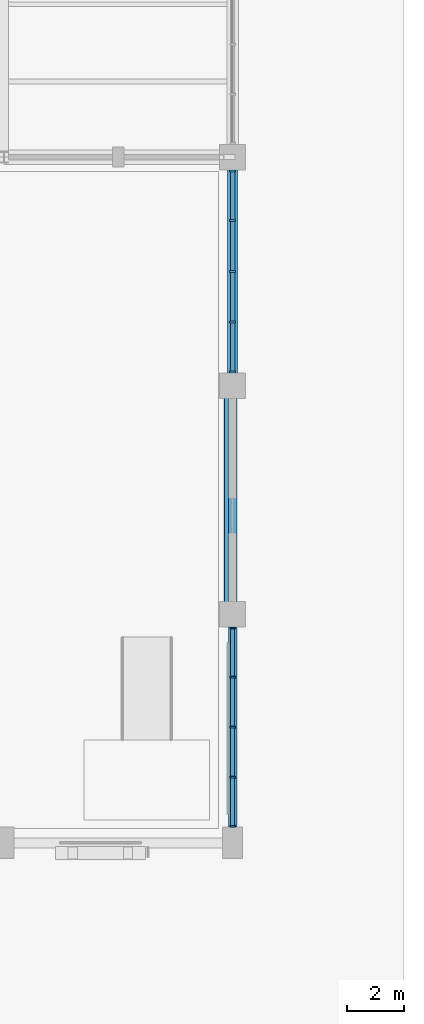
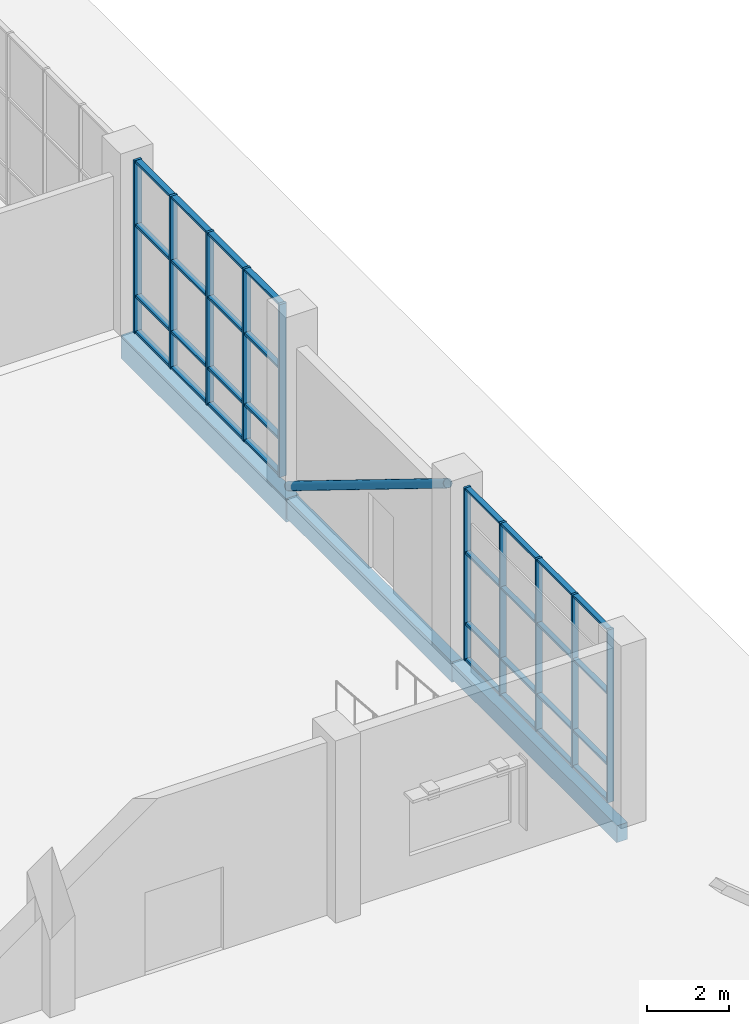
# One storey, part 53 of 123: 43 members, 3 beams, 2 elements without a shape of their own.
"""IFC4 building model written with IfcOpenShell, lengths in metres."""

from ifc_helpers import new_model, si_unit, direction, frame, origin, origin_2d, place, context, subcontext, project, spatial, rectangle, hollow_circle, extrude, material, material_profile, profile_set, type_object, element, aggregate, save


model = new_model("IFC4")

# Units and contexts
model_context = context("Model", 3, precision=1e-05, world=origin(), true_north=direction((0.0, 1.0)))
body_context = subcontext(model_context, "Body", "Model", "MODEL_VIEW")
ifc_project = project(units=[si_unit("LENGTHUNIT", "METRE"), si_unit("AREAUNIT", "SQUARE_METRE"), si_unit("VOLUMEUNIT", "CUBIC_METRE"), si_unit("PLANEANGLEUNIT", "RADIAN"), si_unit("MASSUNIT", "GRAM", prefix="KILO")], contexts=[model_context])

# Site, building, storey
site_placement = place(None, origin())
site = spatial("IfcSite", under=ifc_project, at=site_placement, CompositionType="ELEMENT")
building_placement = place(site_placement, origin())
building = spatial("IfcBuilding", under=site, at=building_placement, Name="Tenunan Teduh Sports Hall", CompositionType="ELEMENT")
storey_placement = place(building_placement, origin())
storey = spatial("IfcBuildingStorey", under=building, at=storey_placement, Name="L00", CompositionType="ELEMENT", Elevation=0.0)

# Beams
ifc_material_1 = material(Name="Concrete C40/50", Category="concrete")
ifc_material_profile_1 = material_profile(ifc_material_1, rectangle(XDim=0.300048828125, YDim=0.5, at=origin_2d()), Name="RCB 300x500")
ifc_profile_set_1 = profile_set([ifc_material_profile_1], Name="Concrete C40/50")
beam_type_1 = type_object("IfcBeamType", Name="BM-RC-300x500", PredefinedType="BEAM", material=ifc_profile_set_1)
beam_1_placement = place(storey_placement, frame((170.0, 14.0, -0.570068359375), z_axis=(0.0, 1.0, 0.0), x_axis=(-1.0, 0.0, 0.0)))
element("IfcBeam", 1, at=beam_1_placement, inside=storey, type_object=beam_type_1, Name="BM-B-01-L00-0890", PredefinedType="BEAM", context=body_context, shape_type="SweptSolid", body=[
    extrude(rectangle(XDim=0.300048828125, YDim=0.5, at=origin_2d()), origin(), (0.0, 0.0, 1.0), 8.0),
])
ifc_material_2 = material(Name="Concrete C40/50", Category="concrete")
ifc_material_profile_2 = material_profile(ifc_material_2, rectangle(XDim=0.300048828125, YDim=0.60009765625, at=origin_2d()), Name="RCB 300x600")
ifc_profile_set_2 = profile_set([ifc_material_profile_2], Name="Concrete C40/50")
beam_type_2 = type_object("IfcBeamType", Name="BM-RC-300x600", PredefinedType="BEAM", material=ifc_profile_set_2)
beam_2_placement = place(storey_placement, frame((170.0, 22.0, -0.6201171875), z_axis=(0.0, 1.0, 0.0), x_axis=(-1.0, 0.0, 0.0)))
element("IfcBeam", 2, at=beam_2_placement, inside=storey, type_object=beam_type_2, Name="BM-B-03-L00-0891", PredefinedType="BEAM", context=body_context, shape_type="SweptSolid", body=[
    extrude(rectangle(XDim=0.300048828125, YDim=0.60009765625, at=origin_2d()), origin(), (0.0, 0.0, 1.0), 8.0),
])
ifc_material_3 = material(Name="Concrete C40/50", Category="concrete")
ifc_material_profile_3 = material_profile(ifc_material_3, rectangle(XDim=0.35009765625, YDim=0.699951171875, at=origin_2d()), Name="RCB 350x700")
ifc_profile_set_3 = profile_set([ifc_material_profile_3], Name="Concrete C40/50")
beam_type_3 = type_object("IfcBeamType", Name="BM-RC-350x700", PredefinedType="BEAM", material=ifc_profile_set_3)
beam_3_placement = place(storey_placement, frame((170.0, 30.0, -0.669921875), z_axis=(0.0, 1.0, 0.0), x_axis=(-1.0, 0.0, 0.0)))
element("IfcBeam", 3, at=beam_3_placement, inside=storey, type_object=beam_type_3, Name="BM-B-06-L00-0892", PredefinedType="BEAM", context=body_context, shape_type="SweptSolid", body=[
    extrude(rectangle(XDim=0.35009765625, YDim=0.699951171875, at=origin_2d()), origin(), (0.0, 0.0, 1.0), 8.0),
])

# Curtain wall, members
ifc_material_4 = material(Name="Anodised aluminium", Category="aluminium")
curtain_wall_type = type_object("IfcCurtainWallType", Name="CW-UNIT-1", PredefinedType="NOTDEFINED", material=ifc_material_4)
curtain_wall_1_placement = place(storey_placement, origin())
curtain_wall_1 = element("IfcCurtainWall", 4, at=curtain_wall_1_placement, inside=storey, type_object=curtain_wall_type, Name="CW-CWM-175-L00-002", PredefinedType="NOTDEFINED")
ifc_material_5 = material(Name="Anodised aluminium", Category="aluminium")
ifc_material_profile_4 = material_profile(ifc_material_5, rectangle(XDim=0.06494140625, YDim=0.175048828125, at=origin_2d()), Name="CWM 65x175")
ifc_profile_set_4 = profile_set([ifc_material_profile_4], Name="Anodised aluminium")
member_type_1 = type_object("IfcMemberType", Name="CWM-175", PredefinedType="MULLION", material=ifc_profile_set_4)
member_1_placement = place(storey_placement, frame((170.0, 14.58251953125, 0.0), z_axis=(0.0, 0.0, 1.0), x_axis=(0.0, 1.0, 0.0)))
member_1 = element("IfcMember", 5, at=member_1_placement, type_object=member_type_1, Name="CW-01 mullion 1", PredefinedType="MULLION", context=body_context, shape_type="SweptSolid", body=[
    extrude(rectangle(XDim=0.06494140625, YDim=0.175048828125, at=origin_2d()), origin(), (0.0, 0.0, 1.0), 5.1201171875),
])
member_2_placement = place(storey_placement, frame((170.0, 16.300048828125, 0.0), z_axis=(0.0, 0.0, 1.0), x_axis=(0.0, 1.0, 0.0)))
member_2 = element("IfcMember", 6, at=member_2_placement, type_object=member_type_1, Name="CW-01 mullion 2", PredefinedType="MULLION", context=body_context, shape_type="SweptSolid", body=[
    extrude(rectangle(XDim=0.06494140625, YDim=0.175048828125, at=origin_2d()), origin(), (0.0, 0.0, 1.0), 5.1201171875),
])
member_3_placement = place(storey_placement, frame((170.0, 18.050048828125, 0.0), z_axis=(0.0, 0.0, 1.0), x_axis=(0.0, 1.0, 0.0)))
member_3 = element("IfcMember", 7, at=member_3_placement, type_object=member_type_1, Name="CW-01 mullion 3", PredefinedType="MULLION", context=body_context, shape_type="SweptSolid", body=[
    extrude(rectangle(XDim=0.06494140625, YDim=0.175048828125, at=origin_2d()), origin(), (0.0, 0.0, 1.0), 5.1201171875),
])
member_4_placement = place(storey_placement, frame((170.0, 19.800048828125, 0.0), z_axis=(0.0, 0.0, 1.0), x_axis=(0.0, 1.0, 0.0)))
member_4 = element("IfcMember", 8, at=member_4_placement, type_object=member_type_1, Name="CW-01 mullion 4", PredefinedType="MULLION", context=body_context, shape_type="SweptSolid", body=[
    extrude(rectangle(XDim=0.06494140625, YDim=0.175048828125, at=origin_2d()), origin(), (0.0, 0.0, 1.0), 5.1201171875),
])
member_5_placement = place(storey_placement, frame((170.0, 21.517578125, 0.0), z_axis=(0.0, 0.0, 1.0), x_axis=(0.0, 1.0, 0.0)))
member_5 = element("IfcMember", 9, at=member_5_placement, type_object=member_type_1, Name="CW-01 mullion 5", PredefinedType="MULLION", context=body_context, shape_type="SweptSolid", body=[
    extrude(rectangle(XDim=0.06494140625, YDim=0.175048828125, at=origin_2d()), origin(), (0.0, 0.0, 1.0), 5.1201171875),
])

curtain_wall_2_placement = place(storey_placement, origin())
curtain_wall_2 = element("IfcCurtainWall", 10, at=curtain_wall_2_placement, inside=storey, type_object=curtain_wall_type, Name="CW-CWM-200-L00-004", PredefinedType="NOTDEFINED")
ifc_material_6 = material(Name="Anodised aluminium", Category="aluminium")
ifc_material_profile_5 = material_profile(ifc_material_6, rectangle(XDim=0.070068359375, YDim=0.199951171875, at=origin_2d()), Name="CWM 70x200")
ifc_profile_set_5 = profile_set([ifc_material_profile_5], Name="Anodised aluminium")
member_type_2 = type_object("IfcMemberType", Name="CWM-200", PredefinedType="MULLION", material=ifc_profile_set_5)
member_6_placement = place(storey_placement, frame((170.0, 30.485107421875, 0.0), z_axis=(0.0, 0.0, 1.0), x_axis=(0.0, 1.0, 0.0)))
member_6 = element("IfcMember", 11, at=member_6_placement, type_object=member_type_2, Name="CW-01 mullion 1", PredefinedType="MULLION", context=body_context, shape_type="SweptSolid", body=[
    extrude(rectangle(XDim=0.070068359375, YDim=0.199951171875, at=origin_2d()), origin(), (0.0, 0.0, 1.0), 5.1201171875),
])
member_7_placement = place(storey_placement, frame((170.0, 32.22509765625, 0.0), z_axis=(0.0, 0.0, 1.0), x_axis=(0.0, 1.0, 0.0)))
member_7 = element("IfcMember", 12, at=member_7_placement, type_object=member_type_2, Name="CW-01 mullion 2", PredefinedType="MULLION", context=body_context, shape_type="SweptSolid", body=[
    extrude(rectangle(XDim=0.070068359375, YDim=0.199951171875, at=origin_2d()), origin(), (0.0, 0.0, 1.0), 5.1201171875),
])
member_8_placement = place(storey_placement, frame((170.0, 34.0, 0.0), z_axis=(0.0, 0.0, 1.0), x_axis=(0.0, 1.0, 0.0)))
member_8 = element("IfcMember", 13, at=member_8_placement, type_object=member_type_2, Name="CW-01 mullion 3", PredefinedType="MULLION", context=body_context, shape_type="SweptSolid", body=[
    extrude(rectangle(XDim=0.070068359375, YDim=0.199951171875, at=origin_2d()), origin(), (0.0, 0.0, 1.0), 5.1201171875),
])
member_9_placement = place(storey_placement, frame((170.0, 35.77490234375, 0.0), z_axis=(0.0, 0.0, 1.0), x_axis=(0.0, 1.0, 0.0)))
member_9 = element("IfcMember", 14, at=member_9_placement, type_object=member_type_2, Name="CW-01 mullion 4", PredefinedType="MULLION", context=body_context, shape_type="SweptSolid", body=[
    extrude(rectangle(XDim=0.070068359375, YDim=0.199951171875, at=origin_2d()), origin(), (0.0, 0.0, 1.0), 5.1201171875),
])
member_10_placement = place(storey_placement, frame((170.0, 37.514892578125, 0.0), z_axis=(0.0, 0.0, 1.0), x_axis=(0.0, 1.0, 0.0)))
member_10 = element("IfcMember", 15, at=member_10_placement, type_object=member_type_2, Name="CW-01 mullion 5", PredefinedType="MULLION", context=body_context, shape_type="SweptSolid", body=[
    extrude(rectangle(XDim=0.070068359375, YDim=0.199951171875, at=origin_2d()), origin(), (0.0, 0.0, 1.0), 5.1201171875),
])

# Member
ifc_material_7 = material(Name="Anodised aluminium", Category="aluminium")
ifc_material_profile_6 = material_profile(ifc_material_7, rectangle(XDim=0.06494140625, YDim=0.139892578125, at=origin_2d()), Name="CWT 65x140")
ifc_profile_set_6 = profile_set([ifc_material_profile_6], Name="Anodised aluminium")
member_type_3 = type_object("IfcMemberType", Name="CWT-150", PredefinedType="USERDEFINED", material=ifc_profile_set_6)
member_11_placement = place(storey_placement, frame((170.0, 14.614990234375, 0.032470703125), z_axis=(0.0, 1.0, 0.0), x_axis=(0.0, 0.0, 1.0)))
member_11 = element("IfcMember", 16, at=member_11_placement, type_object=member_type_3, Name="CW-01 transom 1.1", ObjectType="TRANSOM", PredefinedType="USERDEFINED", context=body_context, shape_type="SweptSolid", body=[
    extrude(rectangle(XDim=0.06494140625, YDim=0.139892578125, at=origin_2d()), origin(), (0.0, 0.0, 1.0), 1.652587890625),
])

member_12_placement = place(storey_placement, frame((170.0, 14.614990234375, 1.10009765625), z_axis=(0.0, 1.0, 0.0), x_axis=(0.0, 0.0, 1.0)))
member_12 = element("IfcMember", 17, at=member_12_placement, type_object=member_type_3, Name="CW-01 transom 1.2", ObjectType="TRANSOM", PredefinedType="USERDEFINED", context=body_context, shape_type="SweptSolid", body=[
    extrude(rectangle(XDim=0.06494140625, YDim=0.139892578125, at=origin_2d()), origin(), (0.0, 0.0, 1.0), 1.652587890625),
])

member_13_placement = place(storey_placement, frame((170.0, 14.614990234375, 3.199951171875), z_axis=(0.0, 1.0, 0.0), x_axis=(0.0, 0.0, 1.0)))
member_13 = element("IfcMember", 18, at=member_13_placement, type_object=member_type_3, Name="CW-01 transom 1.3", ObjectType="TRANSOM", PredefinedType="USERDEFINED", context=body_context, shape_type="SweptSolid", body=[
    extrude(rectangle(XDim=0.06494140625, YDim=0.139892578125, at=origin_2d()), origin(), (0.0, 0.0, 1.0), 1.652587890625),
])

member_14_placement = place(storey_placement, frame((170.0, 14.614990234375, 5.08740234375), z_axis=(0.0, 1.0, 0.0), x_axis=(0.0, 0.0, 1.0)))
member_14 = element("IfcMember", 19, at=member_14_placement, type_object=member_type_3, Name="CW-01 transom 1.4", ObjectType="TRANSOM", PredefinedType="USERDEFINED", context=body_context, shape_type="SweptSolid", body=[
    extrude(rectangle(XDim=0.06494140625, YDim=0.139892578125, at=origin_2d()), origin(), (0.0, 0.0, 1.0), 1.652587890625),
])

member_15_placement = place(storey_placement, frame((170.0, 16.33251953125, 0.032470703125), z_axis=(0.0, 1.0, 0.0), x_axis=(0.0, 0.0, 1.0)))
member_15 = element("IfcMember", 20, at=member_15_placement, type_object=member_type_3, Name="CW-01 transom 2.1", ObjectType="TRANSOM", PredefinedType="USERDEFINED", context=body_context, shape_type="SweptSolid", body=[
    extrude(rectangle(XDim=0.06494140625, YDim=0.139892578125, at=origin_2d()), origin(), (0.0, 0.0, 1.0), 1.68505859375),
])

member_16_placement = place(storey_placement, frame((170.0, 16.33251953125, 1.10009765625), z_axis=(0.0, 1.0, 0.0), x_axis=(0.0, 0.0, 1.0)))
member_16 = element("IfcMember", 21, at=member_16_placement, type_object=member_type_3, Name="CW-01 transom 2.2", ObjectType="TRANSOM", PredefinedType="USERDEFINED", context=body_context, shape_type="SweptSolid", body=[
    extrude(rectangle(XDim=0.06494140625, YDim=0.139892578125, at=origin_2d()), origin(), (0.0, 0.0, 1.0), 1.68505859375),
])

member_17_placement = place(storey_placement, frame((170.0, 16.33251953125, 3.199951171875), z_axis=(0.0, 1.0, 0.0), x_axis=(0.0, 0.0, 1.0)))
member_17 = element("IfcMember", 22, at=member_17_placement, type_object=member_type_3, Name="CW-01 transom 2.3", ObjectType="TRANSOM", PredefinedType="USERDEFINED", context=body_context, shape_type="SweptSolid", body=[
    extrude(rectangle(XDim=0.06494140625, YDim=0.139892578125, at=origin_2d()), origin(), (0.0, 0.0, 1.0), 1.68505859375),
])

member_18_placement = place(storey_placement, frame((170.0, 16.33251953125, 5.08740234375), z_axis=(0.0, 1.0, 0.0), x_axis=(0.0, 0.0, 1.0)))
member_18 = element("IfcMember", 23, at=member_18_placement, type_object=member_type_3, Name="CW-01 transom 2.4", ObjectType="TRANSOM", PredefinedType="USERDEFINED", context=body_context, shape_type="SweptSolid", body=[
    extrude(rectangle(XDim=0.06494140625, YDim=0.139892578125, at=origin_2d()), origin(), (0.0, 0.0, 1.0), 1.68505859375),
])

member_19_placement = place(storey_placement, frame((170.0, 18.08251953125, 0.032470703125), z_axis=(0.0, 1.0, 0.0), x_axis=(0.0, 0.0, 1.0)))
member_19 = element("IfcMember", 24, at=member_19_placement, type_object=member_type_3, Name="CW-01 transom 3.1", ObjectType="TRANSOM", PredefinedType="USERDEFINED", context=body_context, shape_type="SweptSolid", body=[
    extrude(rectangle(XDim=0.06494140625, YDim=0.139892578125, at=origin_2d()), origin(), (0.0, 0.0, 1.0), 1.68505859375),
])

member_20_placement = place(storey_placement, frame((170.0, 18.08251953125, 1.10009765625), z_axis=(0.0, 1.0, 0.0), x_axis=(0.0, 0.0, 1.0)))
member_20 = element("IfcMember", 25, at=member_20_placement, type_object=member_type_3, Name="CW-01 transom 3.2", ObjectType="TRANSOM", PredefinedType="USERDEFINED", context=body_context, shape_type="SweptSolid", body=[
    extrude(rectangle(XDim=0.06494140625, YDim=0.139892578125, at=origin_2d()), origin(), (0.0, 0.0, 1.0), 1.68505859375),
])

member_21_placement = place(storey_placement, frame((170.0, 18.08251953125, 3.199951171875), z_axis=(0.0, 1.0, 0.0), x_axis=(0.0, 0.0, 1.0)))
member_21 = element("IfcMember", 26, at=member_21_placement, type_object=member_type_3, Name="CW-01 transom 3.3", ObjectType="TRANSOM", PredefinedType="USERDEFINED", context=body_context, shape_type="SweptSolid", body=[
    extrude(rectangle(XDim=0.06494140625, YDim=0.139892578125, at=origin_2d()), origin(), (0.0, 0.0, 1.0), 1.68505859375),
])

member_22_placement = place(storey_placement, frame((170.0, 18.08251953125, 5.08740234375), z_axis=(0.0, 1.0, 0.0), x_axis=(0.0, 0.0, 1.0)))
member_22 = element("IfcMember", 27, at=member_22_placement, type_object=member_type_3, Name="CW-01 transom 3.4", ObjectType="TRANSOM", PredefinedType="USERDEFINED", context=body_context, shape_type="SweptSolid", body=[
    extrude(rectangle(XDim=0.06494140625, YDim=0.139892578125, at=origin_2d()), origin(), (0.0, 0.0, 1.0), 1.68505859375),
])

member_23_placement = place(storey_placement, frame((170.0, 19.83251953125, 0.032470703125), z_axis=(0.0, 1.0, 0.0), x_axis=(0.0, 0.0, 1.0)))
member_23 = element("IfcMember", 28, at=member_23_placement, type_object=member_type_3, Name="CW-01 transom 4.1", ObjectType="TRANSOM", PredefinedType="USERDEFINED", context=body_context, shape_type="SweptSolid", body=[
    extrude(rectangle(XDim=0.06494140625, YDim=0.139892578125, at=origin_2d()), origin(), (0.0, 0.0, 1.0), 1.652587890625),
])

member_24_placement = place(storey_placement, frame((170.0, 19.83251953125, 1.10009765625), z_axis=(0.0, 1.0, 0.0), x_axis=(0.0, 0.0, 1.0)))
member_24 = element("IfcMember", 29, at=member_24_placement, type_object=member_type_3, Name="CW-01 transom 4.2", ObjectType="TRANSOM", PredefinedType="USERDEFINED", context=body_context, shape_type="SweptSolid", body=[
    extrude(rectangle(XDim=0.06494140625, YDim=0.139892578125, at=origin_2d()), origin(), (0.0, 0.0, 1.0), 1.652587890625),
])

member_25_placement = place(storey_placement, frame((170.0, 19.83251953125, 3.199951171875), z_axis=(0.0, 1.0, 0.0), x_axis=(0.0, 0.0, 1.0)))
member_25 = element("IfcMember", 30, at=member_25_placement, type_object=member_type_3, Name="CW-01 transom 4.3", ObjectType="TRANSOM", PredefinedType="USERDEFINED", context=body_context, shape_type="SweptSolid", body=[
    extrude(rectangle(XDim=0.06494140625, YDim=0.139892578125, at=origin_2d()), origin(), (0.0, 0.0, 1.0), 1.652587890625),
])

member_26_placement = place(storey_placement, frame((170.0, 19.83251953125, 5.08740234375), z_axis=(0.0, 1.0, 0.0), x_axis=(0.0, 0.0, 1.0)))
member_26 = element("IfcMember", 31, at=member_26_placement, type_object=member_type_3, Name="CW-01 transom 4.4", ObjectType="TRANSOM", PredefinedType="USERDEFINED", context=body_context, shape_type="SweptSolid", body=[
    extrude(rectangle(XDim=0.06494140625, YDim=0.139892578125, at=origin_2d()), origin(), (0.0, 0.0, 1.0), 1.652587890625),
])

aggregate(curtain_wall_1, [member_1, member_2, member_3, member_4, member_5, member_11, member_12, member_13, member_14, member_15, member_16, member_17, member_18, member_19, member_20, member_21, member_22, member_23, member_24, member_25, member_26])

ifc_material_8 = material(Name="Anodised aluminium", Category="aluminium")
ifc_material_profile_7 = material_profile(ifc_material_8, rectangle(XDim=0.070068359375, YDim=0.159912109375, at=origin_2d()), Name="CWT 70x160")
ifc_profile_set_7 = profile_set([ifc_material_profile_7], Name="Anodised aluminium")
member_type_4 = type_object("IfcMemberType", Name="CWT-200", PredefinedType="USERDEFINED", material=ifc_profile_set_7)
member_27_placement = place(storey_placement, frame((170.0, 30.52001953125, 0.034912109375), z_axis=(0.0, 1.0, 0.0), x_axis=(0.0, 0.0, 1.0)))
member_27 = element("IfcMember", 32, at=member_27_placement, type_object=member_type_4, Name="CW-01 transom 1.1", ObjectType="TRANSOM", PredefinedType="USERDEFINED", context=body_context, shape_type="SweptSolid", body=[
    extrude(rectangle(XDim=0.070068359375, YDim=0.159912109375, at=origin_2d()), origin(), (0.0, 0.0, 1.0), 1.669921875),
])

member_28_placement = place(storey_placement, frame((170.0, 30.52001953125, 1.10009765625), z_axis=(0.0, 1.0, 0.0), x_axis=(0.0, 0.0, 1.0)))
member_28 = element("IfcMember", 33, at=member_28_placement, type_object=member_type_4, Name="CW-01 transom 1.2", ObjectType="TRANSOM", PredefinedType="USERDEFINED", context=body_context, shape_type="SweptSolid", body=[
    extrude(rectangle(XDim=0.070068359375, YDim=0.159912109375, at=origin_2d()), origin(), (0.0, 0.0, 1.0), 1.669921875),
])

member_29_placement = place(storey_placement, frame((170.0, 30.52001953125, 3.199951171875), z_axis=(0.0, 1.0, 0.0), x_axis=(0.0, 0.0, 1.0)))
member_29 = element("IfcMember", 34, at=member_29_placement, type_object=member_type_4, Name="CW-01 transom 1.3", ObjectType="TRANSOM", PredefinedType="USERDEFINED", context=body_context, shape_type="SweptSolid", body=[
    extrude(rectangle(XDim=0.070068359375, YDim=0.159912109375, at=origin_2d()), origin(), (0.0, 0.0, 1.0), 1.669921875),
])

member_30_placement = place(storey_placement, frame((170.0, 30.52001953125, 5.0849609375), z_axis=(0.0, 1.0, 0.0), x_axis=(0.0, 0.0, 1.0)))
member_30 = element("IfcMember", 35, at=member_30_placement, type_object=member_type_4, Name="CW-01 transom 1.4", ObjectType="TRANSOM", PredefinedType="USERDEFINED", context=body_context, shape_type="SweptSolid", body=[
    extrude(rectangle(XDim=0.070068359375, YDim=0.159912109375, at=origin_2d()), origin(), (0.0, 0.0, 1.0), 1.669921875),
])

member_31_placement = place(storey_placement, frame((170.0, 32.260009765625, 0.034912109375), z_axis=(0.0, 1.0, 0.0), x_axis=(0.0, 0.0, 1.0)))
member_31 = element("IfcMember", 36, at=member_31_placement, type_object=member_type_4, Name="CW-01 transom 2.1", ObjectType="TRANSOM", PredefinedType="USERDEFINED", context=body_context, shape_type="SweptSolid", body=[
    extrude(rectangle(XDim=0.070068359375, YDim=0.159912109375, at=origin_2d()), origin(), (0.0, 0.0, 1.0), 1.705078125),
])

member_32_placement = place(storey_placement, frame((170.0, 32.260009765625, 1.10009765625), z_axis=(0.0, 1.0, 0.0), x_axis=(0.0, 0.0, 1.0)))
member_32 = element("IfcMember", 37, at=member_32_placement, type_object=member_type_4, Name="CW-01 transom 2.2", ObjectType="TRANSOM", PredefinedType="USERDEFINED", context=body_context, shape_type="SweptSolid", body=[
    extrude(rectangle(XDim=0.070068359375, YDim=0.159912109375, at=origin_2d()), origin(), (0.0, 0.0, 1.0), 1.705078125),
])

member_33_placement = place(storey_placement, frame((170.0, 32.260009765625, 3.199951171875), z_axis=(0.0, 1.0, 0.0), x_axis=(0.0, 0.0, 1.0)))
member_33 = element("IfcMember", 38, at=member_33_placement, type_object=member_type_4, Name="CW-01 transom 2.3", ObjectType="TRANSOM", PredefinedType="USERDEFINED", context=body_context, shape_type="SweptSolid", body=[
    extrude(rectangle(XDim=0.070068359375, YDim=0.159912109375, at=origin_2d()), origin(), (0.0, 0.0, 1.0), 1.705078125),
])

member_34_placement = place(storey_placement, frame((170.0, 32.260009765625, 5.0849609375), z_axis=(0.0, 1.0, 0.0), x_axis=(0.0, 0.0, 1.0)))
member_34 = element("IfcMember", 39, at=member_34_placement, type_object=member_type_4, Name="CW-01 transom 2.4", ObjectType="TRANSOM", PredefinedType="USERDEFINED", context=body_context, shape_type="SweptSolid", body=[
    extrude(rectangle(XDim=0.070068359375, YDim=0.159912109375, at=origin_2d()), origin(), (0.0, 0.0, 1.0), 1.705078125),
])

member_35_placement = place(storey_placement, frame((170.0, 34.034912109375, 0.034912109375), z_axis=(0.0, 1.0, 0.0), x_axis=(0.0, 0.0, 1.0)))
member_35 = element("IfcMember", 40, at=member_35_placement, type_object=member_type_4, Name="CW-01 transom 3.1", ObjectType="TRANSOM", PredefinedType="USERDEFINED", context=body_context, shape_type="SweptSolid", body=[
    extrude(rectangle(XDim=0.070068359375, YDim=0.159912109375, at=origin_2d()), origin(), (0.0, 0.0, 1.0), 1.705078125),
])

member_36_placement = place(storey_placement, frame((170.0, 34.034912109375, 1.10009765625), z_axis=(0.0, 1.0, 0.0), x_axis=(0.0, 0.0, 1.0)))
member_36 = element("IfcMember", 41, at=member_36_placement, type_object=member_type_4, Name="CW-01 transom 3.2", ObjectType="TRANSOM", PredefinedType="USERDEFINED", context=body_context, shape_type="SweptSolid", body=[
    extrude(rectangle(XDim=0.070068359375, YDim=0.159912109375, at=origin_2d()), origin(), (0.0, 0.0, 1.0), 1.705078125),
])

member_37_placement = place(storey_placement, frame((170.0, 34.034912109375, 3.199951171875), z_axis=(0.0, 1.0, 0.0), x_axis=(0.0, 0.0, 1.0)))
member_37 = element("IfcMember", 42, at=member_37_placement, type_object=member_type_4, Name="CW-01 transom 3.3", ObjectType="TRANSOM", PredefinedType="USERDEFINED", context=body_context, shape_type="SweptSolid", body=[
    extrude(rectangle(XDim=0.070068359375, YDim=0.159912109375, at=origin_2d()), origin(), (0.0, 0.0, 1.0), 1.705078125),
])

member_38_placement = place(storey_placement, frame((170.0, 34.034912109375, 5.0849609375), z_axis=(0.0, 1.0, 0.0), x_axis=(0.0, 0.0, 1.0)))
member_38 = element("IfcMember", 43, at=member_38_placement, type_object=member_type_4, Name="CW-01 transom 3.4", ObjectType="TRANSOM", PredefinedType="USERDEFINED", context=body_context, shape_type="SweptSolid", body=[
    extrude(rectangle(XDim=0.070068359375, YDim=0.159912109375, at=origin_2d()), origin(), (0.0, 0.0, 1.0), 1.705078125),
])

member_39_placement = place(storey_placement, frame((170.0, 35.81005859375, 0.034912109375), z_axis=(0.0, 1.0, 0.0), x_axis=(0.0, 0.0, 1.0)))
member_39 = element("IfcMember", 44, at=member_39_placement, type_object=member_type_4, Name="CW-01 transom 4.1", ObjectType="TRANSOM", PredefinedType="USERDEFINED", context=body_context, shape_type="SweptSolid", body=[
    extrude(rectangle(XDim=0.070068359375, YDim=0.159912109375, at=origin_2d()), origin(), (0.0, 0.0, 1.0), 1.669921875),
])

member_40_placement = place(storey_placement, frame((170.0, 35.81005859375, 1.10009765625), z_axis=(0.0, 1.0, 0.0), x_axis=(0.0, 0.0, 1.0)))
member_40 = element("IfcMember", 45, at=member_40_placement, type_object=member_type_4, Name="CW-01 transom 4.2", ObjectType="TRANSOM", PredefinedType="USERDEFINED", context=body_context, shape_type="SweptSolid", body=[
    extrude(rectangle(XDim=0.070068359375, YDim=0.159912109375, at=origin_2d()), origin(), (0.0, 0.0, 1.0), 1.669921875),
])

member_41_placement = place(storey_placement, frame((170.0, 35.81005859375, 3.199951171875), z_axis=(0.0, 1.0, 0.0), x_axis=(0.0, 0.0, 1.0)))
member_41 = element("IfcMember", 46, at=member_41_placement, type_object=member_type_4, Name="CW-01 transom 4.3", ObjectType="TRANSOM", PredefinedType="USERDEFINED", context=body_context, shape_type="SweptSolid", body=[
    extrude(rectangle(XDim=0.070068359375, YDim=0.159912109375, at=origin_2d()), origin(), (0.0, 0.0, 1.0), 1.669921875),
])

member_42_placement = place(storey_placement, frame((170.0, 35.81005859375, 5.0849609375), z_axis=(0.0, 1.0, 0.0), x_axis=(0.0, 0.0, 1.0)))
member_42 = element("IfcMember", 47, at=member_42_placement, type_object=member_type_4, Name="CW-01 transom 4.4", ObjectType="TRANSOM", PredefinedType="USERDEFINED", context=body_context, shape_type="SweptSolid", body=[
    extrude(rectangle(XDim=0.070068359375, YDim=0.159912109375, at=origin_2d()), origin(), (0.0, 0.0, 1.0), 1.669921875),
])

aggregate(curtain_wall_2, [member_6, member_7, member_8, member_9, member_10, member_27, member_28, member_29, member_30, member_31, member_32, member_33, member_34, member_35, member_36, member_37, member_38, member_39, member_40, member_41, member_42])

ifc_material_9 = material(Name="Steel S355", Category="steel")
ifc_material_profile_8 = material_profile(ifc_material_9, hollow_circle(Radius=0.122314453125, WallThickness=0.010009765625, at=origin_2d()), Name="CHS 244.5x10.0")
ifc_profile_set_8 = profile_set([ifc_material_profile_8], Name="Steel S355")
member_type_5 = type_object("IfcMemberType", Name="MEM-BR-CHS245", PredefinedType="BRACE", material=ifc_profile_set_8)
member_43_placement = place(storey_placement, frame((169.820068359375, 29.85009765625, 0.14990234375), z_axis=(0.0, -0.851094506608, 0.525012514919), x_axis=(1.0, 0.0, 0.0)))
element("IfcMember", 48, at=member_43_placement, inside=storey, type_object=member_type_5, Name="MEM-GD-01-L00-1454", PredefinedType="BRACE", context=body_context, shape_type="SweptSolid", body=[
    extrude(hollow_circle(Radius=0.122314453125, WallThickness=0.010009765625, at=origin_2d()), origin(), (0.0, 0.0, 1.0), 9.04736328125),
])

save(model, "model.ifc")
